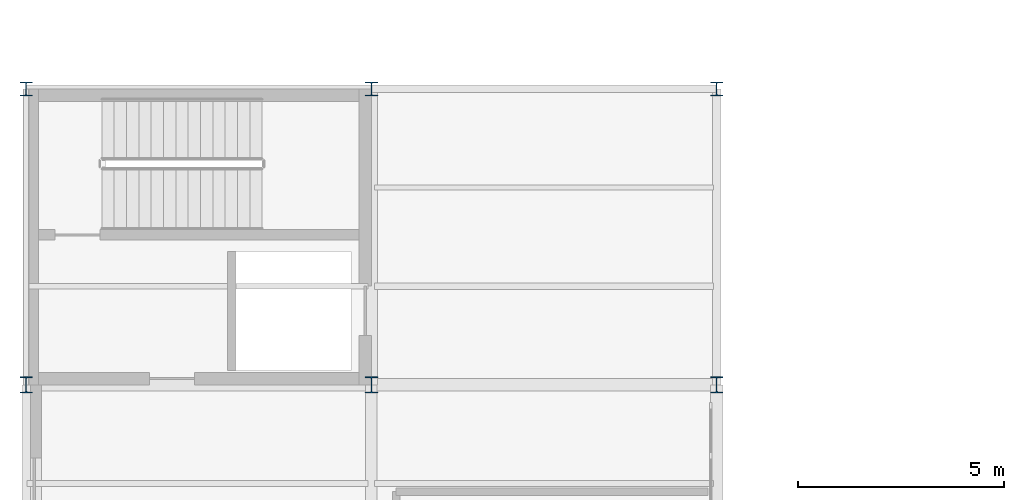
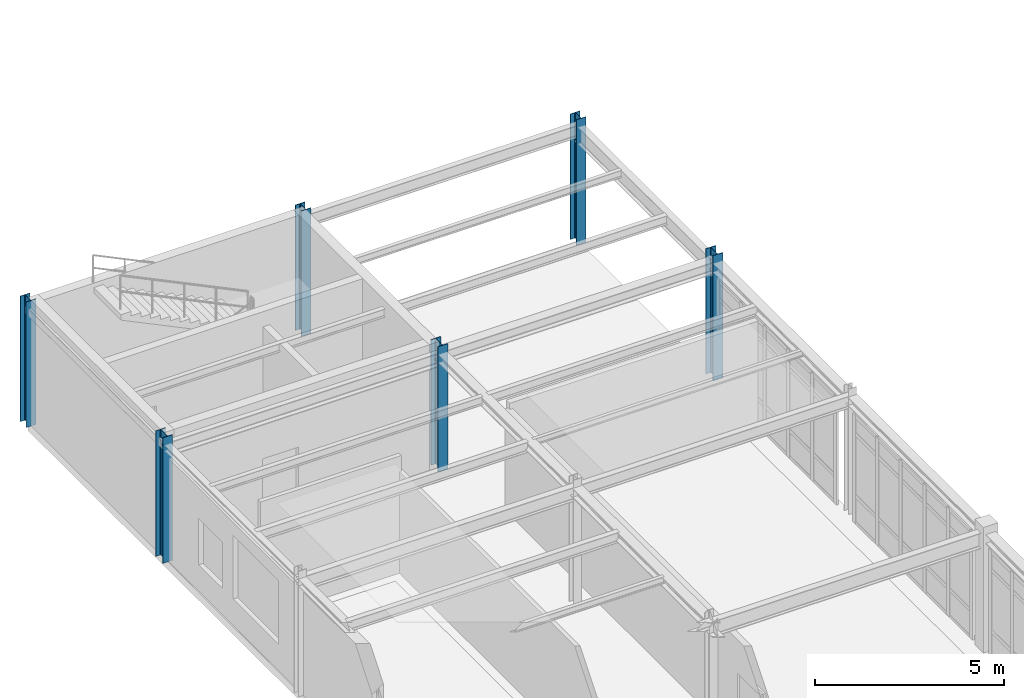
# One storey, part 10 of 58: 6 columns.
"""IFC4 building model written with IfcOpenShell, lengths in metres."""

from ifc_helpers import new_model, si_unit, derived_unit, direction, frame, origin, origin_2d, place, context, subcontext, project, spatial, i_section, extrude, material, material_profile, profile_set, type_object, element, save


model = new_model("IFC4")

# Units and contexts
model_context = context("Model", 3, precision=1e-05, world=origin(), true_north=direction((0.0, 1.0)))
body_context = subcontext(model_context, "Body", "Model", "MODEL_VIEW")
ifc_project = project(units=[si_unit("LENGTHUNIT", "METRE"), si_unit("AREAUNIT", "SQUARE_METRE"), si_unit("VOLUMEUNIT", "CUBIC_METRE"), si_unit("PLANEANGLEUNIT", "RADIAN"), si_unit("MASSUNIT", "GRAM", prefix="KILO"), derived_unit("THERMALTRANSMITTANCEUNIT", [(si_unit("POWERUNIT", "WATT"), 1), (si_unit("AREAUNIT", "SQUARE_METRE"), -1), (si_unit("THERMODYNAMICTEMPERATUREUNIT", "KELVIN"), -1)])], contexts=[model_context])

# Site, building, storey
site_placement = place(None, origin())
site = spatial("IfcSite", under=ifc_project, at=site_placement, CompositionType="ELEMENT")
building_placement = place(site_placement, origin())
building = spatial("IfcBuilding", under=site, at=building_placement, Name="Yasenodar Specialist Clinic", CompositionType="ELEMENT")
storey_placement = place(building_placement, frame((0.0, 0.0, 17.25)))
storey = spatial("IfcBuildingStorey", under=building, at=storey_placement, Name="L04", CompositionType="ELEMENT", Elevation=17.25)

# Columns
ifc_material = material(Name="Steel S355", Category="steel")
ifc_material_profile_1 = material_profile(ifc_material, i_section(OverallWidth=0.300048828125, OverallDepth=0.330078125, WebThickness=0.009521484375, FlangeThickness=0.0166015625, FilletRadius=0.027099609375, at=origin_2d()), Name="HEA 340")
ifc_profile_set_1 = profile_set([ifc_material_profile_1], Name="Steel S355")
column_type_1 = type_object("IfcColumnType", Name="COL-ST-HEA340", PredefinedType="COLUMN", material=ifc_profile_set_1)
for number, where, z_axis, x_axis, name in (
    (1, (0.0, 104.39990234375, 0.0), (0.0, 0.0, 1.0), (1.0, 0.0, 0.0), "L04 Column V4-014"),
    (2, (8.39990234375, 104.39990234375, 0.0), (0.0, 0.0, 1.0), (1.0, 0.0, 0.0), "L04 Column V4-029"),
    (3, (16.800048828125, 104.39990234375, 0.0), (0.0, 0.0, 1.0), (1.0, 0.0, 0.0), "L04 Column V4-044"),
):
    element("IfcColumn", number, at=place(storey_placement, frame(where, z_axis=z_axis, x_axis=x_axis)), inside=storey, type_object=column_type_1, Name=name, PredefinedType="COLUMN", context=body_context, shape_type="SweptSolid", body=[
        extrude(i_section(OverallWidth=0.300048828125, OverallDepth=0.330078125, WebThickness=0.009521484375, FlangeThickness=0.0166015625, FilletRadius=0.027099609375, at=origin_2d()), origin(), (0.0, 0.0, 1.0), 4.050048828125),
    ])
ifc_material_profile_2 = material_profile(ifc_material, i_section(OverallWidth=0.300048828125, OverallDepth=0.389892578125, WebThickness=0.010986328125, FlangeThickness=0.01904296875, FilletRadius=0.027099609375, at=origin_2d()), Name="HEA 400")
ifc_profile_set_2 = profile_set([ifc_material_profile_2], Name="Steel S355")
column_type_2 = type_object("IfcColumnType", Name="COL-ST-HEA400", PredefinedType="COLUMN", material=ifc_profile_set_2)
for number, where, z_axis, x_axis, name in (
    (4, (0.0, 97.199951171875, 0.0), (0.0, 0.0, 1.0), (1.0, 0.0, 0.0), "L04 Column V4-013"),
    (5, (8.39990234375, 97.199951171875, 0.0), (0.0, 0.0, 1.0), (1.0, 0.0, 0.0), "L04 Column V4-028"),
    (6, (16.800048828125, 97.199951171875, 0.0), (0.0, 0.0, 1.0), (1.0, 0.0, 0.0), "L04 Column V4-043"),
):
    element("IfcColumn", number, at=place(storey_placement, frame(where, z_axis=z_axis, x_axis=x_axis)), inside=storey, type_object=column_type_2, Name=name, PredefinedType="COLUMN", context=body_context, shape_type="SweptSolid", body=[
        extrude(i_section(OverallWidth=0.300048828125, OverallDepth=0.389892578125, WebThickness=0.010986328125, FlangeThickness=0.01904296875, FilletRadius=0.027099609375, at=origin_2d()), origin(), (0.0, 0.0, 1.0), 4.050048828125),
    ])

save(model, "model.ifc")
